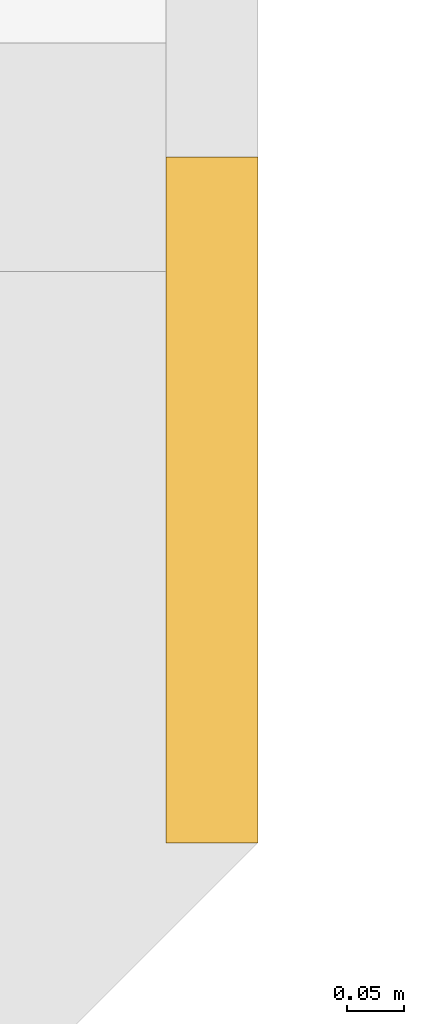
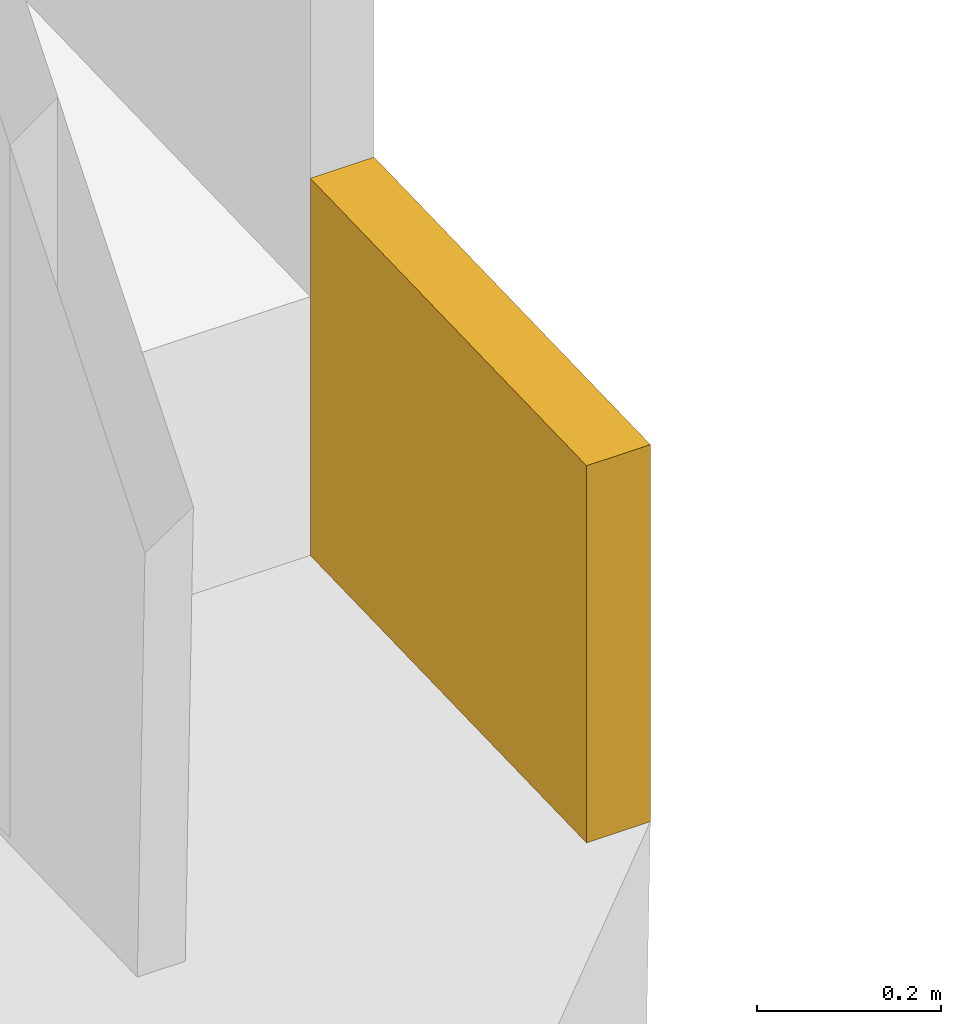
# One storey, part 29 of 29: 1 covering.
"""IFC4 building model written with IfcOpenShell, lengths in metres."""

from ifc_helpers import new_model, si_unit, direction, frame, origin, place, context, subcontext, project, spatial, polyline, outline, extrude, material, layer, layer_set, type_object, element, save


model = new_model("IFC4")

# Units and contexts
model_context = context("Model", 3, precision=1e-05, world=origin(), true_north=direction((0.0, 1.0)))
body_context = subcontext(model_context, "Body", "Model", "MODEL_VIEW")
ifc_project = project(units=[si_unit("LENGTHUNIT", "METRE"), si_unit("AREAUNIT", "SQUARE_METRE"), si_unit("VOLUMEUNIT", "CUBIC_METRE"), si_unit("PLANEANGLEUNIT", "RADIAN"), si_unit("MASSUNIT", "GRAM", prefix="KILO")], contexts=[model_context])

# Site, building, storey
site_placement = place(None, origin())
site = spatial("IfcSite", under=ifc_project, at=site_placement, CompositionType="ELEMENT")
building_placement = place(site_placement, origin())
building = spatial("IfcBuilding", under=site, at=building_placement, Name="Saffron Gate Tower", CompositionType="ELEMENT")
storey_placement = place(building_placement, frame((0.0, 0.0, 58.800048828125)))
storey = spatial("IfcBuildingStorey", under=building, at=storey_placement, Name="L13", CompositionType="ELEMENT", Elevation=58.800048828125)

# Covering
ifc_material = material(Name="Timber, thermally modified ash", Category="wood")
ifc_layer = layer(ifc_material, 0.080078125)
ifc_layer_set = layer_set([ifc_layer], Name="LD2 ledge planter trough")
covering_type = type_object("IfcCoveringType", Name="LD2 ledge planter trough", PredefinedType="CLADDING", material=ifc_layer_set)
covering_placement = place(storey_placement, frame((124.800048828125, 73.199951171875, 0.0595703125), z_axis=(1.0, 0.0, 0.0), x_axis=(0.0, 0.999583081391, 0.028873229772)))
element("IfcCovering", 1, at=covering_placement, inside=storey, type_object=covering_type, Name="LEDGE planter trough", PredefinedType="CLADDING", context=body_context, shape_type="SweptSolid", body=[
    extrude(outline(polyline([(0.0, 0.0), (0.6003479524834376, -3.469446951953614e-18), (0.6147845673692678, 0.4997915406953566), (0.014436614885830073, 0.4997915406953566), (0.0, 0.0)])), origin(), (0.0, 0.0, -1.0), 0.080078125),
])

save(model, "model.ifc")
